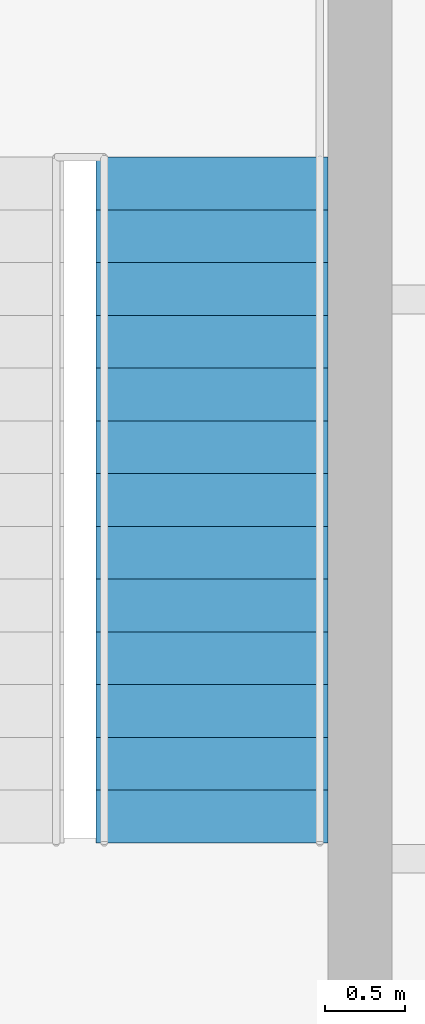
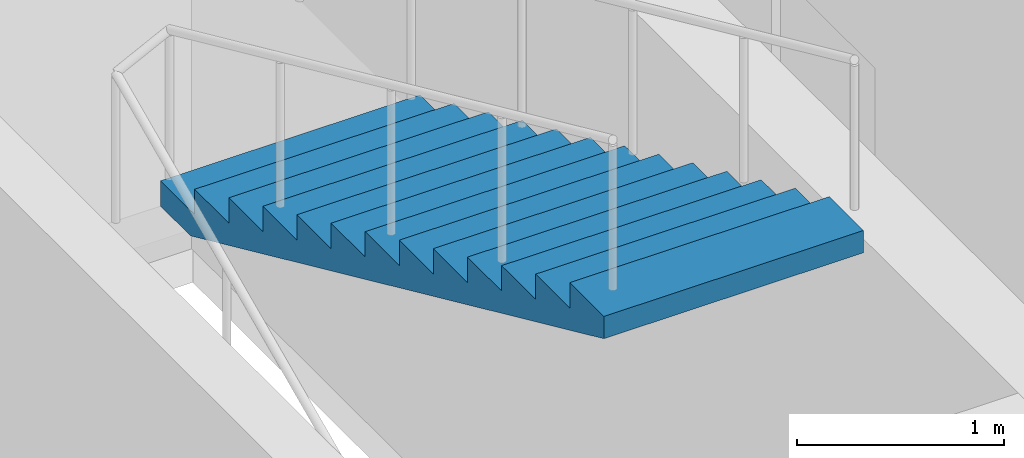
# One storey, part 8 of 9: 1 stair flight, 1 element without a shape of its own.
"""IFC4 building model written with IfcOpenShell, lengths in metres."""

from ifc_helpers import new_model, si_unit, direction, frame, origin, place, context, subcontext, project, spatial, polygons, material, type_object, element, aggregate, save


model = new_model("IFC4")

# Units and contexts
model_context = context("Model", 3, precision=1e-05, world=origin(), true_north=direction((0.0, 1.0)))
body_context = subcontext(model_context, "Body", "Model", "MODEL_VIEW")
ifc_project = project(units=[si_unit("LENGTHUNIT", "METRE"), si_unit("AREAUNIT", "SQUARE_METRE"), si_unit("VOLUMEUNIT", "CUBIC_METRE"), si_unit("PLANEANGLEUNIT", "RADIAN"), si_unit("MASSUNIT", "GRAM", prefix="KILO")], contexts=[model_context])

# Site, building, storey
site_placement = place(None, origin())
site = spatial("IfcSite", under=ifc_project, at=site_placement, CompositionType="ELEMENT")
building_placement = place(site_placement, origin())
building = spatial("IfcBuilding", under=site, at=building_placement, Name="Njiva Tower", CompositionType="ELEMENT")
storey_placement = place(building_placement, frame((0.0, 0.0, 321.0)))
storey = spatial("IfcBuildingStorey", under=building, at=storey_placement, Name="L73", CompositionType="ELEMENT", Elevation=321.0)

# Stair, stair flight
ifc_material = material(Name="Concrete C40/50", Category="concrete")
stair_type = type_object("IfcStairType", Name="ST3 Exit stair 1450", PredefinedType="HALF_TURN_STAIR", material=ifc_material)
stair_placement = place(storey_placement, origin())
stair = element("IfcStair", 1, at=stair_placement, inside=storey, type_object=stair_type, Name="Stair B", PredefinedType="HALF_TURN_STAIR")
stair_flight_type = type_object("IfcStairFlightType", Name="FL3 Stair flight 1450", PredefinedType="STRAIGHT", material=ifc_material)
stair_flight_placement = place(storey_placement, frame((13.375, 15.39, 2.1), z_axis=(0.0, 0.0, 1.0), x_axis=(0.0, -1.0, 0.0)))
stair_flight = element("IfcStairFlight", 2, at=stair_flight_placement, type_object=stair_flight_type, Name="ST-B flight 2", NumberOfRisers=14, NumberOfTreads=13, PredefinedType="STRAIGHT", RiserHeight=0.15, TreadLength=0.33, context=body_context, shape_type="Tessellation", body=[
    polygons([(0.0, 0.725, 0.0), (0.0, 0.3625, 0.0), (0.0, 0.0, 0.0), (0.0, -0.3625, 0.0), (0.0, -0.725, 0.0), (0.0, 0.725, 0.15), (0.0, 0.3625, 0.15), (0.0, 0.0, 0.15), (0.0, -0.3625, 0.15), (0.0, -0.725, 0.15), (0.33, 0.725, 0.15), (0.33, 0.3625, 0.15), (0.33, 0.0, 0.15), (0.33, -0.3625, 0.15), (0.33, -0.725, 0.15), (0.33, 0.725, 0.3), (0.33, 0.3625, 0.3), (0.33, 0.0, 0.3), (0.33, -0.3625, 0.3), (0.33, -0.725, 0.3), (0.66, 0.725, 0.3), (0.66, 0.3625, 0.3), (0.66, 0.0, 0.3), (0.66, -0.3625, 0.3), (0.66, -0.725, 0.3), (0.66, 0.725, 0.45), (0.66, 0.3625, 0.45), (0.66, 0.0, 0.45), (0.66, -0.3625, 0.45), (0.66, -0.725, 0.45), (0.99, 0.725, 0.45), (0.99, 0.3625, 0.45), (0.99, 0.0, 0.45), (0.99, -0.3625, 0.45), (0.99, -0.725, 0.45), (0.99, 0.725, 0.6), (0.99, 0.3625, 0.6), (0.99, 0.0, 0.6), (0.99, -0.3625, 0.6), (0.99, -0.725, 0.6), (1.32, 0.725, 0.6), (1.32, 0.3625, 0.6), (1.32, 0.0, 0.6), (1.32, -0.3625, 0.6), (1.32, -0.725, 0.6), (1.32, 0.725, 0.75), (1.32, 0.3625, 0.75), (1.32, 0.0, 0.75), (1.32, -0.3625, 0.75), (1.32, -0.725, 0.75), (1.65, 0.725, 0.75), (1.65, 0.3625, 0.75), (1.65, 0.0, 0.75), (1.65, -0.3625, 0.75), (1.65, -0.725, 0.75), (1.65, 0.725, 0.9), (1.65, 0.3625, 0.9), (1.65, 0.0, 0.9), (1.65, -0.3625, 0.9), (1.65, -0.725, 0.9), (1.98, 0.725, 0.9), (1.98, 0.3625, 0.9), (1.98, 0.0, 0.9), (1.98, -0.3625, 0.9), (1.98, -0.725, 0.9), (1.98, 0.725, 1.05), (1.98, 0.3625, 1.05), (1.98, 0.0, 1.05), (1.98, -0.3625, 1.05), (1.98, -0.725, 1.05), (2.31, 0.725, 1.05), (2.31, 0.3625, 1.05), (2.31, 0.0, 1.05), (2.31, -0.3625, 1.05), (2.31, -0.725, 1.05), (2.31, 0.725, 1.2), (2.31, 0.3625, 1.2), (2.31, 0.0, 1.2), (2.31, -0.3625, 1.2), (2.31, -0.725, 1.2), (2.64, 0.725, 1.2), (2.64, 0.3625, 1.2), (2.64, 0.0, 1.2), (2.64, -0.3625, 1.2), (2.64, -0.725, 1.2), (2.64, 0.725, 1.35), (2.64, 0.3625, 1.35), (2.64, 0.0, 1.35), (2.64, -0.3625, 1.35), (2.64, -0.725, 1.35), (2.97, 0.725, 1.35), (2.97, 0.3625, 1.35), (2.97, 0.0, 1.35), (2.97, -0.3625, 1.35), (2.97, -0.725, 1.35), (2.97, 0.725, 1.5), (2.97, 0.3625, 1.5), (2.97, 0.0, 1.5), (2.97, -0.3625, 1.5), (2.97, -0.725, 1.5), (3.3, 0.725, 1.5), (3.3, 0.3625, 1.5), (3.3, 0.0, 1.5), (3.3, -0.3625, 1.5), (3.3, -0.725, 1.5), (3.3, 0.725, 1.65), (3.3, 0.3625, 1.65), (3.3, 0.0, 1.65), (3.3, -0.3625, 1.65), (3.3, -0.725, 1.65), (3.63, 0.725, 1.65), (3.63, 0.3625, 1.65), (3.63, 0.0, 1.65), (3.63, -0.3625, 1.65), (3.63, -0.725, 1.65), (3.63, 0.725, 1.8), (3.63, 0.3625, 1.8), (3.63, 0.0, 1.8), (3.63, -0.3625, 1.8), (3.63, -0.725, 1.8), (3.96, 0.725, 1.8), (3.96, 0.3625, 1.8), (3.96, 0.0, 1.8), (3.96, -0.3625, 1.8), (3.96, -0.725, 1.8), (3.96, 0.725, 1.95), (3.96, 0.3625, 1.95), (3.96, 0.0, 1.95), (3.96, -0.3625, 1.95), (3.96, -0.725, 1.95), (4.29, 0.725, 1.95), (4.29, 0.3625, 1.95), (4.29, 0.0, 1.95), (4.29, -0.3625, 1.95), (4.29, -0.725, 1.95), (4.29, 0.725, 1.8182), (4.29, 0.3625, 1.8182), (4.29, 0.0, 1.8182), (4.29, -0.3625, 1.8182), (4.29, -0.725, 1.8182), (0.29, 0.725, 0.0), (0.29, 0.3625, 0.0), (0.29, 0.0, 0.0), (0.29, -0.3625, 0.0), (0.29, -0.725, 0.0)], [[[1, 6, 11, 16, 21, 26, 31, 36, 41, 46, 51, 56, 61, 66, 71, 76, 81, 86, 91, 96, 101, 106, 111, 116, 121, 126, 131, 136, 141]], [[145, 140, 135, 130, 125, 120, 115, 110, 105, 100, 95, 90, 85, 80, 75, 70, 65, 60, 55, 50, 45, 40, 35, 30, 25, 20, 15, 10, 5]], [[6, 1, 2, 7]], [[7, 2, 3, 8]], [[8, 3, 4, 9]], [[9, 4, 5, 10]], [[11, 6, 7, 12]], [[12, 7, 8, 13]], [[13, 8, 9, 14]], [[14, 9, 10, 15]], [[16, 11, 12, 17]], [[17, 12, 13, 18]], [[18, 13, 14, 19]], [[19, 14, 15, 20]], [[21, 16, 17, 22]], [[22, 17, 18, 23]], [[23, 18, 19, 24]], [[24, 19, 20, 25]], [[26, 21, 22, 27]], [[27, 22, 23, 28]], [[28, 23, 24, 29]], [[29, 24, 25, 30]], [[31, 26, 27, 32]], [[32, 27, 28, 33]], [[33, 28, 29, 34]], [[34, 29, 30, 35]], [[36, 31, 32, 37]], [[37, 32, 33, 38]], [[38, 33, 34, 39]], [[39, 34, 35, 40]], [[41, 36, 37, 42]], [[42, 37, 38, 43]], [[43, 38, 39, 44]], [[44, 39, 40, 45]], [[46, 41, 42, 47]], [[47, 42, 43, 48]], [[48, 43, 44, 49]], [[49, 44, 45, 50]], [[51, 46, 47, 52]], [[52, 47, 48, 53]], [[53, 48, 49, 54]], [[54, 49, 50, 55]], [[56, 51, 52, 57]], [[57, 52, 53, 58]], [[58, 53, 54, 59]], [[59, 54, 55, 60]], [[61, 56, 57, 62]], [[62, 57, 58, 63]], [[63, 58, 59, 64]], [[64, 59, 60, 65]], [[66, 61, 62, 67]], [[67, 62, 63, 68]], [[68, 63, 64, 69]], [[69, 64, 65, 70]], [[71, 66, 67, 72]], [[72, 67, 68, 73]], [[73, 68, 69, 74]], [[74, 69, 70, 75]], [[76, 71, 72, 77]], [[77, 72, 73, 78]], [[78, 73, 74, 79]], [[79, 74, 75, 80]], [[81, 76, 77, 82]], [[82, 77, 78, 83]], [[83, 78, 79, 84]], [[84, 79, 80, 85]], [[86, 81, 82, 87]], [[87, 82, 83, 88]], [[88, 83, 84, 89]], [[89, 84, 85, 90]], [[91, 86, 87, 92]], [[92, 87, 88, 93]], [[93, 88, 89, 94]], [[94, 89, 90, 95]], [[96, 91, 92, 97]], [[97, 92, 93, 98]], [[98, 93, 94, 99]], [[99, 94, 95, 100]], [[101, 96, 97, 102]], [[102, 97, 98, 103]], [[103, 98, 99, 104]], [[104, 99, 100, 105]], [[106, 101, 102, 107]], [[107, 102, 103, 108]], [[108, 103, 104, 109]], [[109, 104, 105, 110]], [[111, 106, 107, 112]], [[112, 107, 108, 113]], [[113, 108, 109, 114]], [[114, 109, 110, 115]], [[116, 111, 112, 117]], [[117, 112, 113, 118]], [[118, 113, 114, 119]], [[119, 114, 115, 120]], [[121, 116, 117, 122]], [[122, 117, 118, 123]], [[123, 118, 119, 124]], [[124, 119, 120, 125]], [[126, 121, 122, 127]], [[127, 122, 123, 128]], [[128, 123, 124, 129]], [[129, 124, 125, 130]], [[131, 126, 127, 132]], [[132, 127, 128, 133]], [[133, 128, 129, 134]], [[134, 129, 130, 135]], [[136, 131, 132, 137]], [[137, 132, 133, 138]], [[138, 133, 134, 139]], [[139, 134, 135, 140]], [[141, 136, 137, 142]], [[142, 137, 138, 143]], [[143, 138, 139, 144]], [[144, 139, 140, 145]], [[1, 141, 142, 2]], [[2, 142, 143, 3]], [[3, 143, 144, 4]], [[4, 144, 145, 5]]], closed=True),
])
aggregate(stair, [stair_flight])

save(model, "model.ifc")
